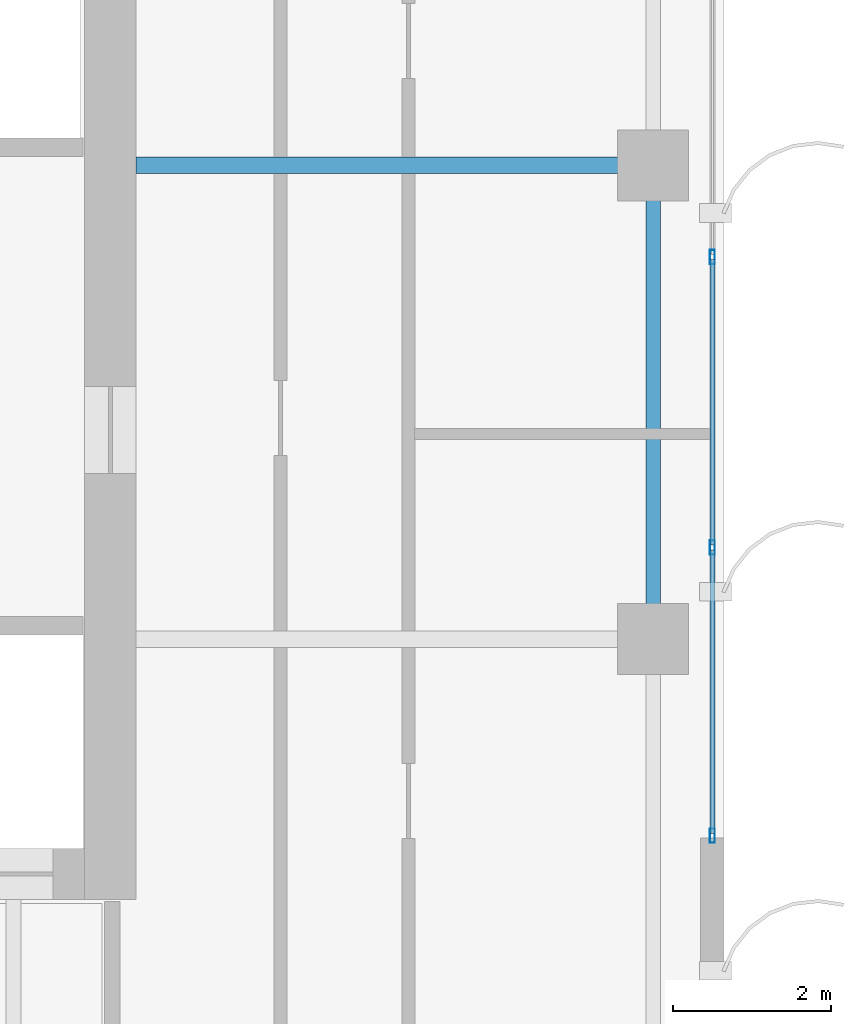
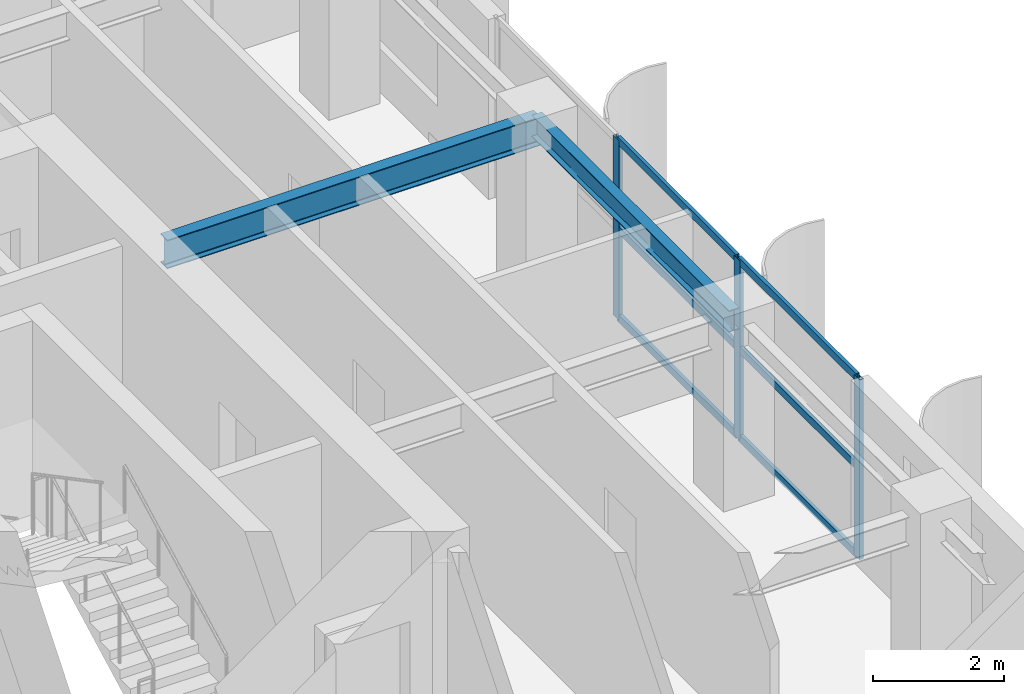
# One storey, part 11 of 22: 9 members, 2 beams, 1 element without a shape of its own.
"""IFC4 building model written with IfcOpenShell, lengths in metres."""

from ifc_helpers import new_model, si_unit, direction, frame, origin, origin_2d, place, context, subcontext, project, spatial, hollow_rectangle, i_section, extrude, source, transform, mapped, material, layer, layer_set, material_profile, profile_set, type_object, element, aggregate, save


model = new_model("IFC4")

# Units and contexts
model_context = context("Model", 3, precision=1e-05, world=origin(), true_north=direction((0.0, 1.0)))
body_context = subcontext(model_context, "Body", "Model", "MODEL_VIEW")
ifc_project = project(units=[si_unit("LENGTHUNIT", "METRE"), si_unit("AREAUNIT", "SQUARE_METRE"), si_unit("VOLUMEUNIT", "CUBIC_METRE"), si_unit("PLANEANGLEUNIT", "RADIAN"), si_unit("MASSUNIT", "GRAM", prefix="KILO")], contexts=[model_context])

# Site, building, storey
site_placement = place(None, origin())
site = spatial("IfcSite", under=ifc_project, at=site_placement, CompositionType="ELEMENT")
building_placement = place(site_placement, origin())
building = spatial("IfcBuilding", under=site, at=building_placement, Name="Khoralis Quay Care Tower", CompositionType="ELEMENT")
storey_placement = place(building_placement, frame((0.0, 0.0, 191.699951171875)))
storey = spatial("IfcBuildingStorey", under=building, at=storey_placement, Name="L50", CompositionType="ELEMENT", Elevation=191.699951171875)

# Beams
ifc_material_1 = material(Name="Steel S355", Category="steel")
ifc_material_profile_1 = material_profile(ifc_material_1, i_section(OverallWidth=0.179931640625, OverallDepth=0.39990234375, WebThickness=0.008544921875, FlangeThickness=0.013427734375, FilletRadius=0.02099609375, at=origin_2d()), Name="Steel S355")
ifc_profile_set_1 = profile_set([ifc_material_profile_1], Name="Steel S355")
beam_type_1 = type_object("IfcBeamType", Name="BM-IPE400", PredefinedType="SPANDREL", material=ifc_profile_set_1)
shared_shape_1 = source(origin(), body_context, "Body", "SweptSolid", [
    extrude(i_section(OverallWidth=0.179931640625, OverallDepth=0.39990234375, WebThickness=0.008544921875, FlangeThickness=0.013427734375, FilletRadius=0.02099609375, at=origin_2d()), origin(), (0.0, 0.0, 1.0), 6.0),
])
beam_1_placement = place(storey_placement, frame((44.10009765625, 18.0, 3.14013671875), z_axis=(0.0, 1.0, 0.0), x_axis=(-1.0, 0.0, 0.0)))
element("IfcBeam", 1, at=beam_1_placement, inside=storey, type_object=beam_type_1, Name="BM-TSP-L50-12", PredefinedType="SPANDREL", context=body_context, shape_type="MappedRepresentation", body=[
    mapped(shared_shape_1, transform((0.0, 0.0, 0.0), scale=1.0)),
])
ifc_material_profile_2 = material_profile(ifc_material_1, i_section(OverallWidth=0.208984375, OverallDepth=0.532958984375, WebThickness=0.01025390625, FlangeThickness=0.015625, FilletRadius=0.01611328125, at=origin_2d()), Name="Steel S355")
ifc_profile_set_2 = profile_set([ifc_material_profile_2], Name="Steel S355")
beam_type_2 = type_object("IfcBeamType", Name="BM-W530X92", PredefinedType="BEAM", material=ifc_profile_set_2)
shared_shape_2 = source(origin(), body_context, "Body", "SweptSolid", [
    extrude(i_section(OverallWidth=0.208984375, OverallDepth=0.532958984375, WebThickness=0.01025390625, FlangeThickness=0.015625, FilletRadius=0.01611328125, at=origin_2d()), origin(), (0.0, 0.0, 1.0), 6.552001953125),
])
beam_2_placement = place(storey_placement, frame((37.548095703125, 24.0, 3.073486328125), z_axis=(1.0, 0.0, 0.0), x_axis=(0.0, 1.0, 0.0)))
element("IfcBeam", 2, at=beam_2_placement, inside=storey, type_object=beam_type_2, Name="BM-TGXE-L50-240", PredefinedType="BEAM", context=body_context, shape_type="MappedRepresentation", body=[
    mapped(shared_shape_2, transform((0.0, 0.0, 0.0), scale=1.0)),
])

# Curtain wall, members
ifc_material_2 = material(Name="Pale anodised aluminium", Category="aluminium")
ifc_layer = layer(ifc_material_2, 0.159912109375)
ifc_layer_set = layer_set([ifc_layer], Name="Pale anodised aluminium")
curtain_wall_type = type_object("IfcCurtainWallType", Name="CW-SYS-Z3", PredefinedType="NOTDEFINED", material=ifc_layer_set)
curtain_wall_placement = place(storey_placement, origin())
curtain_wall = element("IfcCurtainWall", 3, at=curtain_wall_placement, inside=storey, type_object=curtain_wall_type, Name="L50 Unitised Curtain Wall CW-L50-P2-E5", PredefinedType="NOTDEFINED")
ifc_material_profile_3 = material_profile(ifc_material_2, hollow_rectangle(XDim=0.06494140625, YDim=0.179931640625, WallThickness=0.00390625, at=origin_2d()), Name="Pale anodised aluminium")
ifc_profile_set_3 = profile_set([ifc_material_profile_3], Name="Pale anodised aluminium")
member_type_1 = type_object("IfcMemberType", Name="CW-MUL-180", PredefinedType="MULLION", material=ifc_profile_set_3)
shared_shape_3 = source(origin(), body_context, "Body", "SweptSolid", [
    extrude(hollow_rectangle(XDim=0.06494140625, YDim=0.179931640625, WallThickness=0.00390625, at=origin_2d()), origin(), (0.0, 0.0, 1.0), 3.340087890625),
])
member_1_placement = place(storey_placement, frame((44.85009765625, 15.510009765625, 0.0), z_axis=(0.0, 0.0, 1.0), x_axis=(-1.0, 0.0, 0.0)))
member_1 = element("IfcMember", 4, at=member_1_placement, type_object=member_type_1, Name="CW3 mullion 1", PredefinedType="MULLION", context=body_context, shape_type="MappedRepresentation", body=[
    mapped(shared_shape_3, transform((0.0, 0.0, 0.0), scale=1.0)),
])
member_2_placement = place(storey_placement, frame((44.85009765625, 19.159912109375, 0.0), z_axis=(0.0, 0.0, 1.0), x_axis=(-1.0, 0.0, 0.0)))
member_2 = element("IfcMember", 5, at=member_2_placement, type_object=member_type_1, Name="CW3 mullion 2", PredefinedType="MULLION", context=body_context, shape_type="MappedRepresentation", body=[
    mapped(shared_shape_3, transform((0.0, 0.0, 0.0), scale=1.0)),
])
member_3_placement = place(storey_placement, frame((44.85009765625, 22.840087890625, 0.0), z_axis=(0.0, 0.0, 1.0), x_axis=(-1.0, 0.0, 0.0)))
member_3 = element("IfcMember", 6, at=member_3_placement, type_object=member_type_1, Name="CW3 mullion 3", PredefinedType="MULLION", context=body_context, shape_type="MappedRepresentation", body=[
    mapped(shared_shape_3, transform((0.0, 0.0, 0.0), scale=1.0)),
])
ifc_material_profile_4 = material_profile(ifc_material_2, hollow_rectangle(XDim=0.06005859375, YDim=0.139892578125, WallThickness=0.00390625, at=origin_2d()), Name="Pale anodised aluminium")
ifc_profile_set_4 = profile_set([ifc_material_profile_4], Name="Pale anodised aluminium")
member_type_2 = type_object("IfcMemberType", Name="CW-TRN-140", PredefinedType="USERDEFINED", material=ifc_profile_set_4)
shared_shape_4 = source(origin(), body_context, "Body", "SweptSolid", [
    extrude(hollow_rectangle(XDim=0.06005859375, YDim=0.139892578125, WallThickness=0.00390625, at=origin_2d()), origin(), (0.0, 0.0, 1.0), 3.58984375),
])
member_4_placement = place(storey_placement, frame((44.85009765625, 15.5400390625, 0.030029296875), z_axis=(0.0, 1.0, 0.0), x_axis=(-1.0, 0.0, 0.0)))
member_4 = element("IfcMember", 7, at=member_4_placement, type_object=member_type_2, Name="CW3 transom 1.1", ObjectType="TRANSOM", PredefinedType="USERDEFINED", context=body_context, shape_type="MappedRepresentation", body=[
    mapped(shared_shape_4, transform((0.0, 0.0, 0.0), scale=1.0)),
])
member_5_placement = place(storey_placement, frame((44.85009765625, 15.5400390625, 1.670166015625), z_axis=(0.0, 1.0, 0.0), x_axis=(-1.0, 0.0, 0.0)))
member_5 = element("IfcMember", 8, at=member_5_placement, type_object=member_type_2, Name="CW3 transom 1.2", ObjectType="TRANSOM", PredefinedType="USERDEFINED", context=body_context, shape_type="MappedRepresentation", body=[
    mapped(shared_shape_4, transform((0.0, 0.0, 0.0), scale=1.0)),
])
member_6_placement = place(storey_placement, frame((44.85009765625, 15.5400390625, 3.31005859375), z_axis=(0.0, 1.0, 0.0), x_axis=(-1.0, 0.0, 0.0)))
member_6 = element("IfcMember", 9, at=member_6_placement, type_object=member_type_2, Name="CW3 transom 1.3", ObjectType="TRANSOM", PredefinedType="USERDEFINED", context=body_context, shape_type="MappedRepresentation", body=[
    mapped(shared_shape_4, transform((0.0, 0.0, 0.0), scale=1.0)),
])
shared_shape_5 = source(origin(), body_context, "Body", "SweptSolid", [
    extrude(hollow_rectangle(XDim=0.06005859375, YDim=0.139892578125, WallThickness=0.00390625, at=origin_2d()), origin(), (0.0, 0.0, 1.0), 3.6201171875),
])
member_7_placement = place(storey_placement, frame((44.85009765625, 19.18994140625, 0.030029296875), z_axis=(0.0, 1.0, 0.0), x_axis=(-1.0, 0.0, 0.0)))
member_7 = element("IfcMember", 10, at=member_7_placement, type_object=member_type_2, Name="CW3 transom 2.1", ObjectType="TRANSOM", PredefinedType="USERDEFINED", context=body_context, shape_type="MappedRepresentation", body=[
    mapped(shared_shape_5, transform((0.0, 0.0, 0.0), scale=1.0)),
])
member_8_placement = place(storey_placement, frame((44.85009765625, 19.18994140625, 1.670166015625), z_axis=(0.0, 1.0, 0.0), x_axis=(-1.0, 0.0, 0.0)))
member_8 = element("IfcMember", 11, at=member_8_placement, type_object=member_type_2, Name="CW3 transom 2.2", ObjectType="TRANSOM", PredefinedType="USERDEFINED", context=body_context, shape_type="MappedRepresentation", body=[
    mapped(shared_shape_5, transform((0.0, 0.0, 0.0), scale=1.0)),
])
member_9_placement = place(storey_placement, frame((44.85009765625, 19.18994140625, 3.31005859375), z_axis=(0.0, 1.0, 0.0), x_axis=(-1.0, 0.0, 0.0)))
member_9 = element("IfcMember", 12, at=member_9_placement, type_object=member_type_2, Name="CW3 transom 2.3", ObjectType="TRANSOM", PredefinedType="USERDEFINED", context=body_context, shape_type="MappedRepresentation", body=[
    mapped(shared_shape_5, transform((0.0, 0.0, 0.0), scale=1.0)),
])
aggregate(curtain_wall, [member_1, member_2, member_3, member_4, member_5, member_6, member_7, member_8, member_9])

save(model, "model.ifc")
